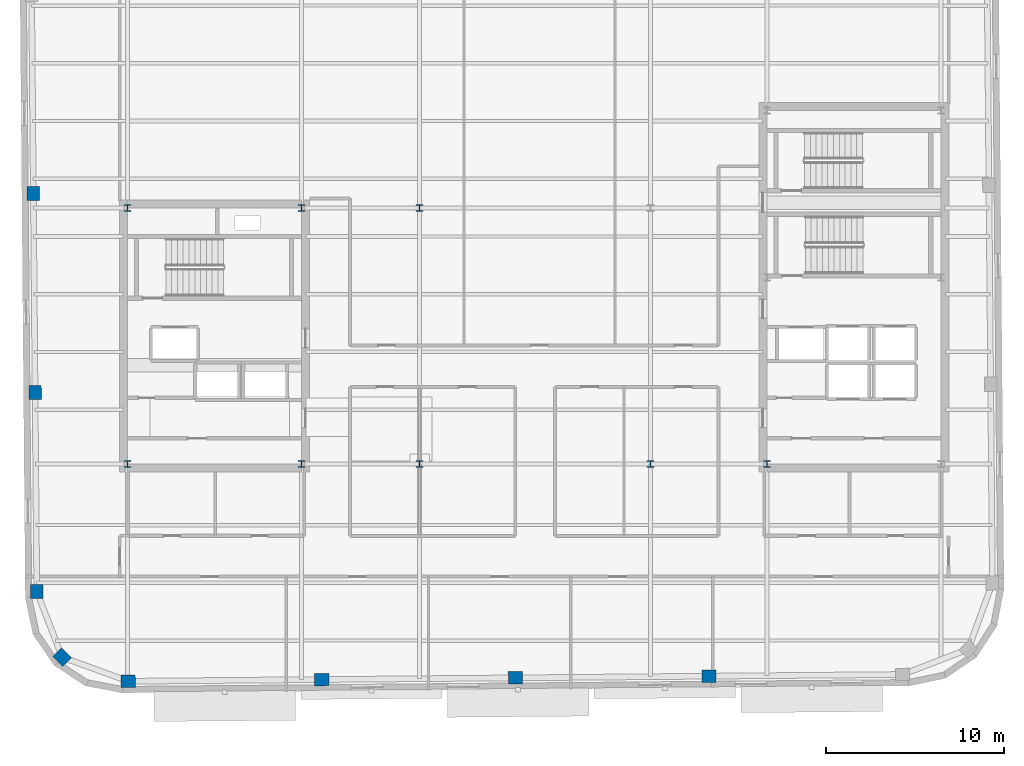
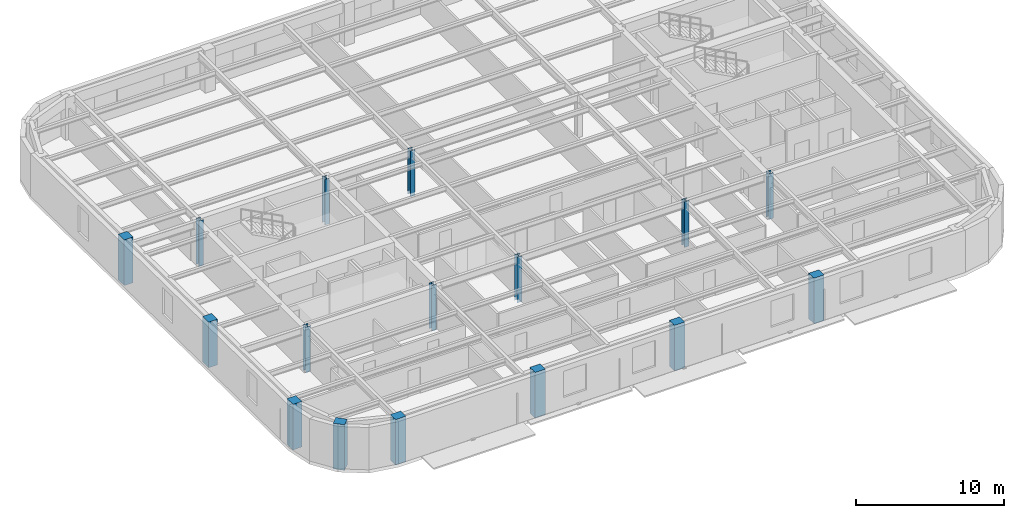
# One storey, part 1 of 13: 16 columns.
"""IFC4 building model written with IfcOpenShell, lengths in metres."""

from ifc_helpers import new_model, si_unit, direction, frame, origin, origin_2d, place, context, subcontext, project, spatial, rectangle, i_section, extrude, material, material_profile, profile_set, type_object, element, save


model = new_model("IFC4")

# Units and contexts
model_context = context("Model", 3, precision=1e-05, world=origin(), true_north=direction((0.0, 1.0)))
body_context = subcontext(model_context, "Body", "Model", "MODEL_VIEW")
ifc_project = project(units=[si_unit("LENGTHUNIT", "METRE"), si_unit("AREAUNIT", "SQUARE_METRE"), si_unit("VOLUMEUNIT", "CUBIC_METRE"), si_unit("PLANEANGLEUNIT", "RADIAN"), si_unit("MASSUNIT", "GRAM", prefix="KILO")], contexts=[model_context])

# Site, building, storey
site_placement = place(None, origin())
site = spatial("IfcSite", under=ifc_project, at=site_placement, CompositionType="ELEMENT")
building_placement = place(site_placement, origin())
building = spatial("IfcBuilding", under=site, at=building_placement, Name="Kolvaren Arena Tower", CompositionType="ELEMENT")
storey_placement = place(building_placement, frame((0.0, 0.0, 286.14990234375)))
storey = spatial("IfcBuildingStorey", under=building, at=storey_placement, Name="L70", CompositionType="ELEMENT", Elevation=286.14990234375)

# Columns
ifc_material_1 = material(Name="Precast concrete C50/60", Category="concrete")
ifc_material_profile_1 = material_profile(ifc_material_1, rectangle(XDim=0.800048828125, YDim=0.699951171875, at=origin_2d()), Name="RC-800x700")
ifc_profile_set_1 = profile_set([ifc_material_profile_1], Name="Precast concrete C50/60")
column_type_1 = type_object("IfcColumnType", Name="EXCOL-Z5", PredefinedType="COLUMN", material=ifc_profile_set_1)
for number, where, z_axis, x_axis, name in (
    (1, (14.591796875, 7.210693359375, -0.27001953125), (0.0, 0.0, 1.0), (0.999961923064, 0.008726535498, 0.0), "Exoskeleton Perimeter Column 01 (L70)"),
    (2, (25.491455078125, 7.3056640625, -0.27001953125), (0.0, 0.0, 1.0), (0.999961923064, 0.008726535498, 0.0), "Exoskeleton Perimeter Column 02 (L70)"),
    (3, (36.39111328125, 7.40087890625, -0.27001953125), (0.0, 0.0, 1.0), (0.999961923064, 0.008726535498, 0.0), "Exoskeleton Perimeter Column 03 (L70)"),
    (4, (47.290771484375, 7.49609375, -0.27001953125), (0.0, 0.0, 1.0), (0.999961923064, 0.008726535498, 0.0), "Exoskeleton Perimeter Column 04 (L70)"),
    (5, (9.252197265625, 34.6650390625, -0.27001953125), (0.0, 0.0, 1.0), (-0.008726535498, 0.999961923064, 0.0), "Exoskeleton Perimeter Column 19 (L70)"),
    (6, (9.349853515625, 23.465576171875, -0.27001953125), (0.0, 0.0, 1.0), (-0.008726535498, 0.999961923064, 0.0), "Exoskeleton Perimeter Column 20 (L70)"),
    (7, (9.447509765625, 12.265869140625, -0.27001953125), (0.0, 0.0, 1.0), (-0.008726535498, 0.999961923064, 0.0), "Exoskeleton Perimeter Column 21 (L70)"),
    (8, (10.87109375, 8.5693359375, -0.27001953125), (0.0, 0.0, 1.0), (-0.713250449154, 0.7009092643, 0.0), "Exoskeleton Perimeter Column 22 (L70)"),
):
    element("IfcColumn", number, at=place(storey_placement, frame(where, z_axis=z_axis, x_axis=x_axis)), inside=storey, type_object=column_type_1, Name=name, PredefinedType="COLUMN", context=body_context, shape_type="SweptSolid", body=[
        extrude(rectangle(XDim=0.800048828125, YDim=0.699951171875, at=origin_2d()), origin(), (0.0, 0.0, 1.0), 3.75),
    ])
ifc_material_2 = material(Name="Steel ASTM A913 Grade 65", Category="steel")
ifc_material_profile_2 = material_profile(ifc_material_2, i_section(OverallWidth=0.3740234375, OverallDepth=0.3720703125, WebThickness=0.016357421875, FlangeThickness=0.026123046875, FilletRadius=0.02001953125, at=origin_2d()), Name="W360x196")
ifc_profile_set_2 = profile_set([ifc_material_profile_2], Name="Steel ASTM A913 Grade 65")
column_type_2 = type_object("IfcColumnType", Name="SCOL-Z5", PredefinedType="COLUMN", material=ifc_profile_set_2)
for number, where, z_axis, x_axis, name in (
    (9, (14.550048828125, 19.449951171875, -0.27001953125), (0.0, 0.0, 1.0), (1.0, 0.0, 0.0), "Core Boundary Column WC-SW (L70)"),
    (10, (24.35009765625, 19.449951171875, -0.27001953125), (0.0, 0.0, 1.0), (1.0, 0.0, 0.0), "Core Boundary Column WC-SE (L70)"),
    (11, (14.550048828125, 33.85009765625, -0.27001953125), (0.0, 0.0, 1.0), (1.0, 0.0, 0.0), "Core Boundary Column WC-NW (L70)"),
    (12, (24.35009765625, 33.85009765625, -0.27001953125), (0.0, 0.0, 1.0), (1.0, 0.0, 0.0), "Core Boundary Column WC-NE (L70)"),
    (13, (50.550048828125, 19.449951171875, -0.27001953125), (0.0, 0.0, 1.0), (1.0, 0.0, 0.0), "Core Boundary Column EC-SW (L70)"),
    (14, (31.0, 19.449951171875, -0.27001953125), (0.0, 0.0, 1.0), (1.0, 0.0, 0.0), "Interior Gravity Column TC-SW (L70)"),
    (15, (44.0, 19.449951171875, -0.27001953125), (0.0, 0.0, 1.0), (1.0, 0.0, 0.0), "Interior Gravity Column TC-SE (L70)"),
    (16, (31.0, 33.85009765625, -0.27001953125), (0.0, 0.0, 1.0), (1.0, 0.0, 0.0), "Interior Gravity Column TC-NW (L70)"),
):
    element("IfcColumn", number, at=place(storey_placement, frame(where, z_axis=z_axis, x_axis=x_axis)), inside=storey, type_object=column_type_2, Name=name, PredefinedType="COLUMN", context=body_context, shape_type="SweptSolid", body=[
        extrude(i_section(OverallWidth=0.3740234375, OverallDepth=0.3720703125, WebThickness=0.016357421875, FlangeThickness=0.026123046875, FilletRadius=0.02001953125, at=origin_2d()), origin(), (0.0, 0.0, 1.0), 3.75),
    ])

save(model, "model.ifc")
